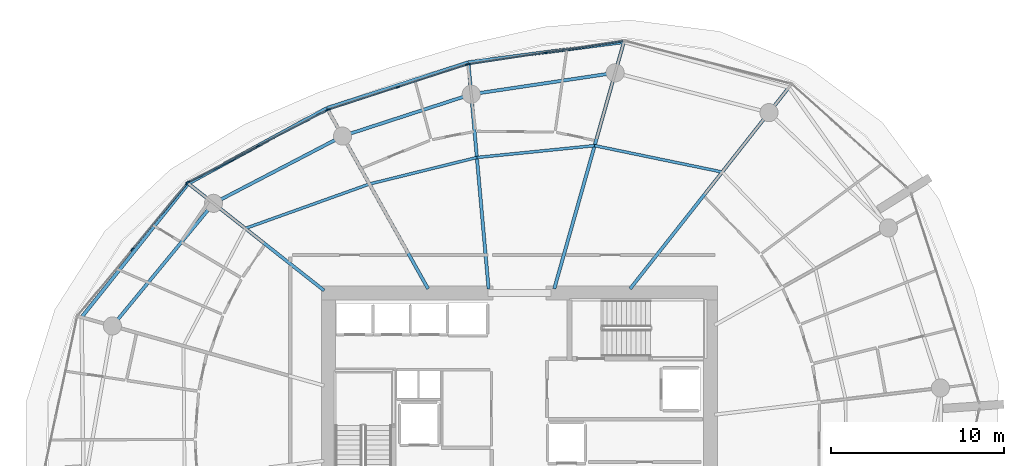
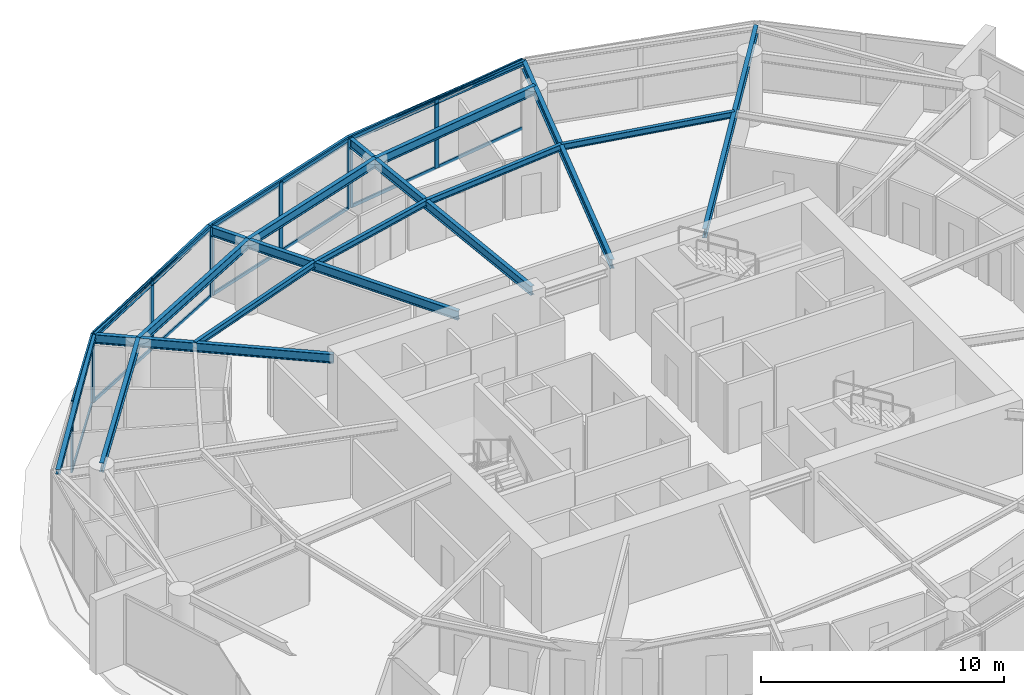
# One storey, part 9 of 17: 24 members, 17 beams, 4 elements without a shape of their own.
"""IFC4 building model written with IfcOpenShell, lengths in metres."""

from ifc_helpers import new_model, si_unit, direction, frame, origin, origin_2d, place, context, subcontext, project, spatial, rectangle, i_section, extrude, material, layer, layer_set, material_profile, profile_set, type_object, element, aggregate, save


model = new_model("IFC4")

# Units and contexts
model_context = context("Model", 3, precision=1e-05, world=origin(), true_north=direction((0.0, 1.0)))
body_context = subcontext(model_context, "Body", "Model", "MODEL_VIEW")
ifc_project = project(units=[si_unit("LENGTHUNIT", "METRE"), si_unit("AREAUNIT", "SQUARE_METRE"), si_unit("VOLUMEUNIT", "CUBIC_METRE"), si_unit("PLANEANGLEUNIT", "RADIAN"), si_unit("MASSUNIT", "GRAM", prefix="KILO")], contexts=[model_context])

# Site, building, storey
site_placement = place(None, origin())
site = spatial("IfcSite", under=ifc_project, at=site_placement, CompositionType="ELEMENT")
building_placement = place(site_placement, origin())
building = spatial("IfcBuilding", under=site, at=building_placement, Name="Kazma Halo Residences", CompositionType="ELEMENT")
storey_placement = place(building_placement, frame((0.0, 0.0, 127.800048828125)))
storey = spatial("IfcBuildingStorey", under=building, at=storey_placement, Name="L31", CompositionType="ELEMENT", Elevation=127.800048828125)

# Beams
ifc_material_1 = material(Name="Steel S355", Category="steel")
ifc_material_profile_1 = material_profile(ifc_material_1, i_section(OverallWidth=0.201904296875, OverallDepth=0.2470703125, WebThickness=0.00732421875, FlangeThickness=0.010986328125, FilletRadius=0.011962890625, at=origin_2d()), Name="W250x49.1")
ifc_profile_set_1 = profile_set([ifc_material_profile_1], Name="Steel S355")
beam_type_1 = type_object("IfcBeamType", Name="BM-BAL-CANT", PredefinedType="BEAM", material=ifc_profile_set_1)
beam_1_placement = place(storey_placement, frame((54.459228515625, 64.90234375, 3.37646484375), z_axis=(-0.991489228614, -0.130188745839, 0.0), x_axis=(0.130188745839, -0.991489228614, 0.0)))
element("IfcBeam", 1, at=beam_1_placement, inside=storey, type_object=beam_type_1, Name="L31 wave-balcony tie beam 03", PredefinedType="BEAM", context=body_context, shape_type="SweptSolid", body=[
    extrude(i_section(OverallWidth=0.201904296875, OverallDepth=0.2470703125, WebThickness=0.00732421875, FlangeThickness=0.010986328125, FilletRadius=0.011962890625, at=origin_2d()), origin(), (0.0, 0.0, 1.0), 9.053955078125),
])
beam_2_placement = place(storey_placement, frame((45.482421875, 63.7236328125, 3.37646484375), z_axis=(-0.951458235255, -0.307777885115, 0.0), x_axis=(0.307777885115, -0.951458235255, 0.0)))
element("IfcBeam", 2, at=beam_2_placement, inside=storey, type_object=beam_type_1, Name="L31 wave-balcony tie beam 04", PredefinedType="BEAM", context=body_context, shape_type="SweptSolid", body=[
    extrude(i_section(OverallWidth=0.201904296875, OverallDepth=0.2470703125, WebThickness=0.00732421875, FlangeThickness=0.010986328125, FilletRadius=0.011962890625, at=origin_2d()), origin(), (0.0, 0.0, 1.0), 8.585205078125),
])
beam_3_placement = place(storey_placement, frame((37.31396484375, 61.081298828125, 3.37646484375), z_axis=(-0.878572913315, -0.477608245312, 0.0), x_axis=(0.477608245312, -0.878572913315, 0.0)))
element("IfcBeam", 3, at=beam_3_placement, inside=storey, type_object=beam_type_1, Name="L31 wave-balcony tie beam 05", PredefinedType="BEAM", context=body_context, shape_type="SweptSolid", body=[
    extrude(i_section(OverallWidth=0.201904296875, OverallDepth=0.2470703125, WebThickness=0.00732421875, FlangeThickness=0.010986328125, FilletRadius=0.011962890625, at=origin_2d()), origin(), (0.0, 0.0, 1.0), 9.107177734375),
])
beam_4_placement = place(storey_placement, frame((29.312744140625, 56.731689453125, 3.37646484375), z_axis=(-0.623742400336, -0.781629975131, 0.0), x_axis=(0.781629975131, -0.623742400336, 0.0)))
element("IfcBeam", 4, at=beam_4_placement, inside=storey, type_object=beam_type_1, Name="L31 wave-balcony tie beam 06", PredefinedType="BEAM", context=body_context, shape_type="SweptSolid", body=[
    extrude(i_section(OverallWidth=0.201904296875, OverallDepth=0.2470703125, WebThickness=0.00732421875, FlangeThickness=0.010986328125, FilletRadius=0.011962890625, at=origin_2d()), origin(), (0.0, 0.0, 1.0), 9.880859375),
])
ifc_material_profile_2 = material_profile(ifc_material_1, i_section(OverallWidth=0.18994140625, OverallDepth=0.45703125, WebThickness=0.009033203125, FlangeThickness=0.014404296875, FilletRadius=0.01611328125, at=origin_2d()), Name="W460x74")
ifc_profile_set_2 = profile_set([ifc_material_profile_2], Name="Steel S355")
beam_type_2 = type_object("IfcBeamType", Name="BM-RAD-W460", PredefinedType="BEAM", material=ifc_profile_set_2)
beam_5_placement = place(storey_placement, frame((54.819091796875, 50.64990234375, 3.271484375), z_axis=(0.619094498239, 0.785316498139, 0.0), x_axis=(-0.785316498139, 0.619094498239, 0.0)))
element("IfcBeam", 5, at=beam_5_placement, inside=storey, type_object=beam_type_2, Name="L31 radial floor beam 02", PredefinedType="BEAM", context=body_context, shape_type="SweptSolid", body=[
    extrude(i_section(OverallWidth=0.18994140625, OverallDepth=0.45703125, WebThickness=0.009033203125, FlangeThickness=0.014404296875, FilletRadius=0.01611328125, at=origin_2d()), origin(), (0.0, 0.0, 1.0), 14.80517578125),
])
beam_6_placement = place(storey_placement, frame((50.439697265625, 50.64990234375, 3.271484375), z_axis=(0.271435886816, 0.962456523355, 0.0), x_axis=(-0.962456523355, 0.271435886816, 0.0)))
element("IfcBeam", 6, at=beam_6_placement, inside=storey, type_object=beam_type_2, Name="L31 radial floor beam 03", PredefinedType="BEAM", context=body_context, shape_type="SweptSolid", body=[
    extrude(i_section(OverallWidth=0.18994140625, OverallDepth=0.45703125, WebThickness=0.009033203125, FlangeThickness=0.014404296875, FilletRadius=0.01611328125, at=origin_2d()), origin(), (0.0, 0.0, 1.0), 14.808349609375),
])
beam_7_placement = place(storey_placement, frame((46.64990234375, 50.64990234375, 3.271484375), z_axis=(-0.088945777727, 0.996036469525, 0.0), x_axis=(-0.996036469525, -0.088945777727, 0.0)))
element("IfcBeam", 7, at=beam_7_placement, inside=storey, type_object=beam_type_2, Name="L31 radial floor beam 04", PredefinedType="BEAM", context=body_context, shape_type="SweptSolid", body=[
    extrude(i_section(OverallWidth=0.18994140625, OverallDepth=0.45703125, WebThickness=0.009033203125, FlangeThickness=0.014404296875, FilletRadius=0.01611328125, at=origin_2d()), origin(), (0.0, 0.0, 1.0), 13.125732421875),
])
beam_8_placement = place(storey_placement, frame((43.15576171875, 50.64990234375, 3.271484375), z_axis=(-0.488617048735, 0.872498355119, 0.0), x_axis=(-0.872498355119, -0.488617048735, 0.0)))
element("IfcBeam", 8, at=beam_8_placement, inside=storey, type_object=beam_type_2, Name="L31 radial floor beam 05", PredefinedType="BEAM", context=body_context, shape_type="SweptSolid", body=[
    extrude(i_section(OverallWidth=0.18994140625, OverallDepth=0.45703125, WebThickness=0.009033203125, FlangeThickness=0.014404296875, FilletRadius=0.01611328125, at=origin_2d()), origin(), (0.0, 0.0, 1.0), 11.955810546875),
])
beam_9_placement = place(storey_placement, frame((37.14990234375, 50.553466796875, 3.271484375), z_axis=(-0.785321544409, 0.619088097032, 0.0), x_axis=(-0.619088097032, -0.785321544409, 0.0)))
element("IfcBeam", 9, at=beam_9_placement, inside=storey, type_object=beam_type_2, Name="L31 radial floor beam 06", PredefinedType="BEAM", context=body_context, shape_type="SweptSolid", body=[
    extrude(i_section(OverallWidth=0.18994140625, OverallDepth=0.45703125, WebThickness=0.009033203125, FlangeThickness=0.014404296875, FilletRadius=0.01611328125, at=origin_2d()), origin(), (0.0, 0.0, 1.0), 9.9794921875),
])
ifc_material_profile_3 = material_profile(ifc_material_1, i_section(OverallWidth=0.1650390625, OverallDepth=0.31005859375, WebThickness=0.005859375, FlangeThickness=0.009765625, FilletRadius=0.011962890625, at=origin_2d()), Name="W310x38.7")
ifc_profile_set_3 = profile_set([ifc_material_profile_3], Name="Steel S355")
beam_type_3 = type_object("IfcBeamType", Name="BM-SEC-W310B", PredefinedType="JOIST", material=ifc_profile_set_3)
beam_10_placement = place(storey_placement, frame((60.13525390625, 57.393310546875, 3.344970703125), z_axis=(-0.979272189631, 0.202548706773, 0.0), x_axis=(-0.202548706773, -0.979272189631, 0.0)))
element("IfcBeam", 10, at=beam_10_placement, inside=storey, type_object=beam_type_3, Name="L31 circumferential floor joist 02", PredefinedType="JOIST", context=body_context, shape_type="SweptSolid", body=[
    extrude(i_section(OverallWidth=0.1650390625, OverallDepth=0.31005859375, WebThickness=0.005859375, FlangeThickness=0.009765625, FilletRadius=0.011962890625, at=origin_2d()), origin(), (0.0, 0.0, 1.0), 7.52001953125),
])
beam_11_placement = place(storey_placement, frame((52.77099609375, 58.91650390625, 3.344970703125), z_axis=(-0.994979001613, -0.100083896557, 0.0), x_axis=(0.100083896557, -0.994979001613, 0.0)))
element("IfcBeam", 11, at=beam_11_placement, inside=storey, type_object=beam_type_3, Name="L31 circumferential floor joist 03", PredefinedType="JOIST", context=body_context, shape_type="SweptSolid", body=[
    extrude(i_section(OverallWidth=0.1650390625, OverallDepth=0.31005859375, WebThickness=0.005859375, FlangeThickness=0.009765625, FilletRadius=0.011962890625, at=origin_2d()), origin(), (0.0, 0.0, 1.0), 6.832763671875),
])
beam_12_placement = place(storey_placement, frame((45.97265625, 58.232666015625, 3.344970703125), z_axis=(-0.970830601663, -0.239766434004, 0.0), x_axis=(0.239766434004, -0.970830601663, 0.0)))
element("IfcBeam", 12, at=beam_12_placement, inside=storey, type_object=beam_type_3, Name="L31 circumferential floor joist 04", PredefinedType="JOIST", context=body_context, shape_type="SweptSolid", body=[
    extrude(i_section(OverallWidth=0.1650390625, OverallDepth=0.31005859375, WebThickness=0.005859375, FlangeThickness=0.009765625, FilletRadius=0.011962890625, at=origin_2d()), origin(), (0.0, 0.0, 1.0), 6.3916015625),
])
beam_13_placement = place(storey_placement, frame((39.767578125, 56.7001953125, 3.344970703125), z_axis=(-0.941534087973, -0.336917736525, 0.0), x_axis=(0.336917736525, -0.941534087973, 0.0)))
element("IfcBeam", 13, at=beam_13_placement, inside=storey, type_object=beam_type_3, Name="L31 circumferential floor joist 05", PredefinedType="JOIST", context=body_context, shape_type="SweptSolid", body=[
    extrude(i_section(OverallWidth=0.1650390625, OverallDepth=0.31005859375, WebThickness=0.005859375, FlangeThickness=0.009765625, FilletRadius=0.011962890625, at=origin_2d()), origin(), (0.0, 0.0, 1.0), 7.60791015625),
])
ifc_material_profile_4 = material_profile(ifc_material_1, i_section(OverallWidth=0.18994140625, OverallDepth=0.45703125, WebThickness=0.009033203125, FlangeThickness=0.014404296875, FilletRadius=0.01611328125, at=origin_2d()), Name="W460x74")
ifc_profile_set_4 = profile_set([ifc_material_profile_4], Name="Steel S355")
beam_type_4 = type_object("IfcBeamType", Name="BM-SPN-W460", PredefinedType="BEAM", material=ifc_profile_set_4)
beam_14_placement = place(storey_placement, frame((53.95703125, 63.121826171875, 3.271484375), z_axis=(-0.989037147603, -0.147666924735, 0.0), x_axis=(0.147666924735, -0.989037147603, 0.0)))
element("IfcBeam", 14, at=beam_14_placement, inside=storey, type_object=beam_type_4, Name="L31 perimeter ring beam 03", PredefinedType="BEAM", context=body_context, shape_type="SweptSolid", body=[
    extrude(i_section(OverallWidth=0.18994140625, OverallDepth=0.45703125, WebThickness=0.009033203125, FlangeThickness=0.014404296875, FilletRadius=0.01611328125, at=origin_2d()), origin(), (0.0, 0.0, 1.0), 8.402099609375),
])
beam_15_placement = place(storey_placement, frame((45.64697265625, 61.881103515625, 3.271484375), z_axis=(-0.95105634578, -0.309017519167, 0.0), x_axis=(0.309017519167, -0.95105634578, 0.0)))
element("IfcBeam", 15, at=beam_15_placement, inside=storey, type_object=beam_type_4, Name="L31 perimeter ring beam 04", PredefinedType="BEAM", context=body_context, shape_type="SweptSolid", body=[
    extrude(i_section(OverallWidth=0.18994140625, OverallDepth=0.45703125, WebThickness=0.009033203125, FlangeThickness=0.014404296875, FilletRadius=0.01611328125, at=origin_2d()), origin(), (0.0, 0.0, 1.0), 7.811279296875),
])
beam_16_placement = place(storey_placement, frame((38.218017578125, 59.46728515625, 3.271484375), z_axis=(-0.886943099021, -0.461878706046, 0.0), x_axis=(0.461878706046, -0.886943099021, 0.0)))
element("IfcBeam", 16, at=beam_16_placement, inside=storey, type_object=beam_type_4, Name="L31 perimeter ring beam 05", PredefinedType="BEAM", context=body_context, shape_type="SweptSolid", body=[
    extrude(i_section(OverallWidth=0.18994140625, OverallDepth=0.45703125, WebThickness=0.009033203125, FlangeThickness=0.014404296875, FilletRadius=0.01611328125, at=origin_2d()), origin(), (0.0, 0.0, 1.0), 8.40234375),
])
beam_17_placement = place(storey_placement, frame((30.765625, 55.58642578125, 3.271484375), z_axis=(-0.636018723515, -0.771673624882, 0.0), x_axis=(0.771673624882, -0.636018723515, 0.0)))
element("IfcBeam", 17, at=beam_17_placement, inside=storey, type_object=beam_type_4, Name="L31 perimeter ring beam 06", PredefinedType="BEAM", context=body_context, shape_type="SweptSolid", body=[
    extrude(i_section(OverallWidth=0.18994140625, OverallDepth=0.45703125, WebThickness=0.009033203125, FlangeThickness=0.014404296875, FilletRadius=0.01611328125, at=origin_2d()), origin(), (0.0, 0.0, 1.0), 9.175048828125),
])

# Curtain wall, members
ifc_material_2 = material(Name="Aluminium AW-6063 T6 and Triple-Silver Low-E Glass", Category="aluminium")
ifc_layer = layer(ifc_material_2, 0.219970703125)
ifc_layer_set = layer_set([ifc_layer], Name="Aluminium AW-6063 T6 and Triple-Silver Low-E Glass")
curtain_wall_type = type_object("IfcCurtainWallType", Name="CW-SYS-4", PredefinedType="NOTDEFINED", material=ifc_layer_set)
curtain_wall_1_placement = place(storey_placement, origin())
curtain_wall_1 = element("IfcCurtainWall", 18, at=curtain_wall_1_placement, inside=storey, type_object=curtain_wall_type, Name="L31 unitised curtain wall B03", PredefinedType="NOTDEFINED")
ifc_material_3 = material(Name="Aluminium AW-6063 T6", Category="aluminium")
ifc_material_profile_5 = material_profile(ifc_material_3, rectangle(XDim=0.074951171875, YDim=0.219970703125, at=origin_2d()), Name="CWM-75x220")
ifc_profile_set_5 = profile_set([ifc_material_profile_5], Name="Aluminium AW-6063 T6")
member_type_1 = type_object("IfcMemberType", Name="CW-SYS-4-MUL", PredefinedType="MULLION", material=ifc_profile_set_5)
member_1_placement = place(storey_placement, frame((49.960205078125, 64.28857421875, 0.0), z_axis=(0.0, 0.0, 1.0), x_axis=(0.148821022686, -0.988864148004, 0.0)))
member_1 = element("IfcMember", 19, at=member_1_placement, type_object=member_type_1, Name="CWS-4 mullion 2", PredefinedType="MULLION", context=body_context, shape_type="SweptSolid", body=[
    extrude(rectangle(XDim=0.074951171875, YDim=0.219970703125, at=origin_2d()), origin(), (0.0, 0.0, 1.0), 3.5),
])
member_2_placement = place(storey_placement, frame((45.4794921875, 63.6142578125, 0.0), z_axis=(0.0, 0.0, 1.0), x_axis=(0.148821022686, -0.988864148004, 0.0)))
member_2 = element("IfcMember", 20, at=member_2_placement, type_object=member_type_1, Name="CWS-4 mullion 3", PredefinedType="MULLION", context=body_context, shape_type="SweptSolid", body=[
    extrude(rectangle(XDim=0.074951171875, YDim=0.219970703125, at=origin_2d()), origin(), (0.0, 0.0, 1.0), 3.5),
])

curtain_wall_2_placement = place(storey_placement, origin())
curtain_wall_2 = element("IfcCurtainWall", 21, at=curtain_wall_2_placement, inside=storey, type_object=curtain_wall_type, Name="L31 unitised curtain wall B04", PredefinedType="NOTDEFINED")
member_3_placement = place(storey_placement, frame((45.40673828125, 63.59716796875, 0.0), z_axis=(0.0, 0.0, 1.0), x_axis=(0.309017358807, -0.951056397884, 0.0)))
member_3 = element("IfcMember", 22, at=member_3_placement, type_object=member_type_1, Name="CWS-4 mullion 1", PredefinedType="MULLION", context=body_context, shape_type="SweptSolid", body=[
    extrude(rectangle(XDim=0.074951171875, YDim=0.219970703125, at=origin_2d()), origin(), (0.0, 0.0, 1.0), 3.5),
])
member_4_placement = place(storey_placement, frame((41.405029296875, 62.296875, 0.0), z_axis=(0.0, 0.0, 1.0), x_axis=(0.309017358807, -0.951056397884, 0.0)))
member_4 = element("IfcMember", 23, at=member_4_placement, type_object=member_type_1, Name="CWS-4 mullion 2", PredefinedType="MULLION", context=body_context, shape_type="SweptSolid", body=[
    extrude(rectangle(XDim=0.074951171875, YDim=0.219970703125, at=origin_2d()), origin(), (0.0, 0.0, 1.0), 3.5),
])
member_5_placement = place(storey_placement, frame((37.403564453125, 60.99658203125, 0.0), z_axis=(0.0, 0.0, 1.0), x_axis=(0.309017358807, -0.951056397884, 0.0)))
member_5 = element("IfcMember", 24, at=member_5_placement, type_object=member_type_1, Name="CWS-4 mullion 3", PredefinedType="MULLION", context=body_context, shape_type="SweptSolid", body=[
    extrude(rectangle(XDim=0.074951171875, YDim=0.219970703125, at=origin_2d()), origin(), (0.0, 0.0, 1.0), 3.5),
])

curtain_wall_3_placement = place(storey_placement, origin())
curtain_wall_3 = element("IfcCurtainWall", 25, at=curtain_wall_3_placement, inside=storey, type_object=curtain_wall_type, Name="L31 unitised curtain wall B05", PredefinedType="NOTDEFINED")
member_6_placement = place(storey_placement, frame((37.33447265625, 60.9677734375, 0.0), z_axis=(0.0, 0.0, 1.0), x_axis=(0.460837484552, -0.887484542306, 0.0)))
member_6 = element("IfcMember", 26, at=member_6_placement, type_object=member_type_1, Name="CWS-4 mullion 1", PredefinedType="MULLION", context=body_context, shape_type="SweptSolid", body=[
    extrude(rectangle(XDim=0.074951171875, YDim=0.219970703125, at=origin_2d()), origin(), (0.0, 0.0, 1.0), 3.5),
])
member_7_placement = place(storey_placement, frame((33.313232421875, 58.879638671875, 0.0), z_axis=(0.0, 0.0, 1.0), x_axis=(0.460837484552, -0.887484542306, 0.0)))
member_7 = element("IfcMember", 27, at=member_7_placement, type_object=member_type_1, Name="CWS-4 mullion 2", PredefinedType="MULLION", context=body_context, shape_type="SweptSolid", body=[
    extrude(rectangle(XDim=0.074951171875, YDim=0.219970703125, at=origin_2d()), origin(), (0.0, 0.0, 1.0), 3.5),
])
member_8_placement = place(storey_placement, frame((29.2919921875, 56.791748046875, 0.0), z_axis=(0.0, 0.0, 1.0), x_axis=(0.460837484552, -0.887484542306, 0.0)))
member_8 = element("IfcMember", 28, at=member_8_placement, type_object=member_type_1, Name="CWS-4 mullion 3", PredefinedType="MULLION", context=body_context, shape_type="SweptSolid", body=[
    extrude(rectangle(XDim=0.074951171875, YDim=0.219970703125, at=origin_2d()), origin(), (0.0, 0.0, 1.0), 3.5),
])

curtain_wall_4_placement = place(storey_placement, origin())
curtain_wall_4 = element("IfcCurtainWall", 29, at=curtain_wall_4_placement, inside=storey, type_object=curtain_wall_type, Name="L31 unitised curtain wall B06", PredefinedType="NOTDEFINED")
member_9_placement = place(storey_placement, frame((29.23486328125, 56.74560546875, 0.0), z_axis=(0.0, 0.0, 1.0), x_axis=(0.771037030672, -0.636790308761, 0.0)))
member_9 = element("IfcMember", 30, at=member_9_placement, type_object=member_type_1, Name="CWS-4 mullion 1", PredefinedType="MULLION", context=body_context, shape_type="SweptSolid", body=[
    extrude(rectangle(XDim=0.074951171875, YDim=0.219970703125, at=origin_2d()), origin(), (0.0, 0.0, 1.0), 3.5),
])
member_10_placement = place(storey_placement, frame((26.080810546875, 52.92626953125, 0.0), z_axis=(0.0, 0.0, 1.0), x_axis=(0.771037030672, -0.636790308761, 0.0)))
member_10 = element("IfcMember", 31, at=member_10_placement, type_object=member_type_1, Name="CWS-4 mullion 2", PredefinedType="MULLION", context=body_context, shape_type="SweptSolid", body=[
    extrude(rectangle(XDim=0.074951171875, YDim=0.219970703125, at=origin_2d()), origin(), (0.0, 0.0, 1.0), 3.5),
])

# Member
ifc_material_profile_6 = material_profile(ifc_material_3, rectangle(XDim=0.074951171875, YDim=0.1650390625, at=origin_2d()), Name="CWT-75x165")
ifc_profile_set_6 = profile_set([ifc_material_profile_6], Name="Aluminium AW-6063 T6")
member_type_2 = type_object("IfcMemberType", Name="CW-SYS-4-TRN", PredefinedType="USERDEFINED", material=ifc_profile_set_6)
member_11_placement = place(storey_placement, frame((54.403564453125, 64.957275390625, 0.037353515625), z_axis=(-0.988866721231, -0.148803923478, 0.0), x_axis=(0.148803923478, -0.988866721231, 0.0)))
member_11 = element("IfcMember", 32, at=member_11_placement, type_object=member_type_2, Name="CWS-4 transom 1.1", ObjectType="TRANSOM", PredefinedType="USERDEFINED", context=body_context, shape_type="SweptSolid", body=[
    extrude(rectangle(XDim=0.074951171875, YDim=0.1650390625, at=origin_2d()), origin(), (0.0, 0.0, 1.0), 4.4560546875),
])

member_12_placement = place(storey_placement, frame((54.403564453125, 64.957275390625, 3.46240234375), z_axis=(-0.988866721231, -0.148803923478, 0.0), x_axis=(0.148803923478, -0.988866721231, 0.0)))
member_12 = element("IfcMember", 33, at=member_12_placement, type_object=member_type_2, Name="CWS-4 transom 1.2", ObjectType="TRANSOM", PredefinedType="USERDEFINED", context=body_context, shape_type="SweptSolid", body=[
    extrude(rectangle(XDim=0.074951171875, YDim=0.1650390625, at=origin_2d()), origin(), (0.0, 0.0, 1.0), 4.4560546875),
])

member_13_placement = place(storey_placement, frame((49.923095703125, 64.282958984375, 0.037353515625), z_axis=(-0.988866721231, -0.148803923478, 0.0), x_axis=(0.148803923478, -0.988866721231, 0.0)))
member_13 = element("IfcMember", 34, at=member_13_placement, type_object=member_type_2, Name="CWS-4 transom 2.1", ObjectType="TRANSOM", PredefinedType="USERDEFINED", context=body_context, shape_type="SweptSolid", body=[
    extrude(rectangle(XDim=0.074951171875, YDim=0.1650390625, at=origin_2d()), origin(), (0.0, 0.0, 1.0), 4.4560546875),
])

member_14_placement = place(storey_placement, frame((49.923095703125, 64.282958984375, 3.46240234375), z_axis=(-0.988866721231, -0.148803923478, 0.0), x_axis=(0.148803923478, -0.988866721231, 0.0)))
member_14 = element("IfcMember", 35, at=member_14_placement, type_object=member_type_2, Name="CWS-4 transom 2.2", ObjectType="TRANSOM", PredefinedType="USERDEFINED", context=body_context, shape_type="SweptSolid", body=[
    extrude(rectangle(XDim=0.074951171875, YDim=0.1650390625, at=origin_2d()), origin(), (0.0, 0.0, 1.0), 4.4560546875),
])

aggregate(curtain_wall_1, [member_1, member_2, member_11, member_12, member_13, member_14])

member_15_placement = place(storey_placement, frame((45.37109375, 63.58544921875, 0.037353515625), z_axis=(-0.951071831822, -0.308969854055, 0.0), x_axis=(0.308969854055, -0.951071831822, 0.0)))
member_15 = element("IfcMember", 36, at=member_15_placement, type_object=member_type_2, Name="CWS-4 transom 1.1", ObjectType="TRANSOM", PredefinedType="USERDEFINED", context=body_context, shape_type="SweptSolid", body=[
    extrude(rectangle(XDim=0.074951171875, YDim=0.1650390625, at=origin_2d()), origin(), (0.0, 0.0, 1.0), 4.132568359375),
])

member_16_placement = place(storey_placement, frame((45.37109375, 63.58544921875, 3.46240234375), z_axis=(-0.951071831822, -0.308969854055, 0.0), x_axis=(0.308969854055, -0.951071831822, 0.0)))
member_16 = element("IfcMember", 37, at=member_16_placement, type_object=member_type_2, Name="CWS-4 transom 1.2", ObjectType="TRANSOM", PredefinedType="USERDEFINED", context=body_context, shape_type="SweptSolid", body=[
    extrude(rectangle(XDim=0.074951171875, YDim=0.1650390625, at=origin_2d()), origin(), (0.0, 0.0, 1.0), 4.132568359375),
])

member_17_placement = place(storey_placement, frame((41.369384765625, 62.285400390625, 0.037353515625), z_axis=(-0.951048828971, -0.309040652525, 0.0), x_axis=(0.309040652525, -0.951048828971, 0.0)))
member_17 = element("IfcMember", 38, at=member_17_placement, type_object=member_type_2, Name="CWS-4 transom 2.1", ObjectType="TRANSOM", PredefinedType="USERDEFINED", context=body_context, shape_type="SweptSolid", body=[
    extrude(rectangle(XDim=0.074951171875, YDim=0.1650390625, at=origin_2d()), origin(), (0.0, 0.0, 1.0), 4.132568359375),
])

member_18_placement = place(storey_placement, frame((41.369384765625, 62.285400390625, 3.46240234375), z_axis=(-0.951048828971, -0.309040652525, 0.0), x_axis=(0.309040652525, -0.951048828971, 0.0)))
member_18 = element("IfcMember", 39, at=member_18_placement, type_object=member_type_2, Name="CWS-4 transom 2.2", ObjectType="TRANSOM", PredefinedType="USERDEFINED", context=body_context, shape_type="SweptSolid", body=[
    extrude(rectangle(XDim=0.074951171875, YDim=0.1650390625, at=origin_2d()), origin(), (0.0, 0.0, 1.0), 4.132568359375),
])

aggregate(curtain_wall_2, [member_3, member_4, member_5, member_15, member_16, member_17, member_18])

member_19_placement = place(storey_placement, frame((37.30126953125, 60.950439453125, 0.037353515625), z_axis=(-0.887484872803, -0.460836848077, 0.0), x_axis=(0.460836848077, -0.887484872803, 0.0)))
member_19 = element("IfcMember", 40, at=member_19_placement, type_object=member_type_2, Name="CWS-4 transom 1.1", ObjectType="TRANSOM", PredefinedType="USERDEFINED", context=body_context, shape_type="SweptSolid", body=[
    extrude(rectangle(XDim=0.074951171875, YDim=0.1650390625, at=origin_2d()), origin(), (0.0, 0.0, 1.0), 4.4560546875),
])

member_20_placement = place(storey_placement, frame((37.30126953125, 60.950439453125, 3.46240234375), z_axis=(-0.887484872803, -0.460836848077, 0.0), x_axis=(0.460836848077, -0.887484872803, 0.0)))
member_20 = element("IfcMember", 41, at=member_20_placement, type_object=member_type_2, Name="CWS-4 transom 1.2", ObjectType="TRANSOM", PredefinedType="USERDEFINED", context=body_context, shape_type="SweptSolid", body=[
    extrude(rectangle(XDim=0.074951171875, YDim=0.1650390625, at=origin_2d()), origin(), (0.0, 0.0, 1.0), 4.4560546875),
])

member_21_placement = place(storey_placement, frame((33.280029296875, 58.862548828125, 0.037353515625), z_axis=(-0.887484872803, -0.460836848077, 0.0), x_axis=(0.460836848077, -0.887484872803, 0.0)))
member_21 = element("IfcMember", 42, at=member_21_placement, type_object=member_type_2, Name="CWS-4 transom 2.1", ObjectType="TRANSOM", PredefinedType="USERDEFINED", context=body_context, shape_type="SweptSolid", body=[
    extrude(rectangle(XDim=0.074951171875, YDim=0.1650390625, at=origin_2d()), origin(), (0.0, 0.0, 1.0), 4.4560546875),
])

member_22_placement = place(storey_placement, frame((33.280029296875, 58.862548828125, 3.46240234375), z_axis=(-0.887484872803, -0.460836848077, 0.0), x_axis=(0.460836848077, -0.887484872803, 0.0)))
member_22 = element("IfcMember", 43, at=member_22_placement, type_object=member_type_2, Name="CWS-4 transom 2.2", ObjectType="TRANSOM", PredefinedType="USERDEFINED", context=body_context, shape_type="SweptSolid", body=[
    extrude(rectangle(XDim=0.074951171875, YDim=0.1650390625, at=origin_2d()), origin(), (0.0, 0.0, 1.0), 4.4560546875),
])

aggregate(curtain_wall_3, [member_6, member_7, member_8, member_19, member_20, member_21, member_22])

member_23_placement = place(storey_placement, frame((29.2109375, 56.716552734375, 0.037353515625), z_axis=(-0.63680125548, -0.771027989777, 0.0), x_axis=(0.771027989777, -0.63680125548, 0.0)))
member_23 = element("IfcMember", 44, at=member_23_placement, type_object=member_type_2, Name="CWS-4 transom 1.1", ObjectType="TRANSOM", PredefinedType="USERDEFINED", context=body_context, shape_type="SweptSolid", body=[
    extrude(rectangle(XDim=0.074951171875, YDim=0.1650390625, at=origin_2d()), origin(), (0.0, 0.0, 1.0), 4.878173828125),
])

member_24_placement = place(storey_placement, frame((29.2109375, 56.716552734375, 3.46240234375), z_axis=(-0.63680125548, -0.771027989777, 0.0), x_axis=(0.771027989777, -0.63680125548, 0.0)))
member_24 = element("IfcMember", 45, at=member_24_placement, type_object=member_type_2, Name="CWS-4 transom 1.2", ObjectType="TRANSOM", PredefinedType="USERDEFINED", context=body_context, shape_type="SweptSolid", body=[
    extrude(rectangle(XDim=0.074951171875, YDim=0.1650390625, at=origin_2d()), origin(), (0.0, 0.0, 1.0), 4.878173828125),
])

aggregate(curtain_wall_4, [member_9, member_10, member_23, member_24])

save(model, "model.ifc")
